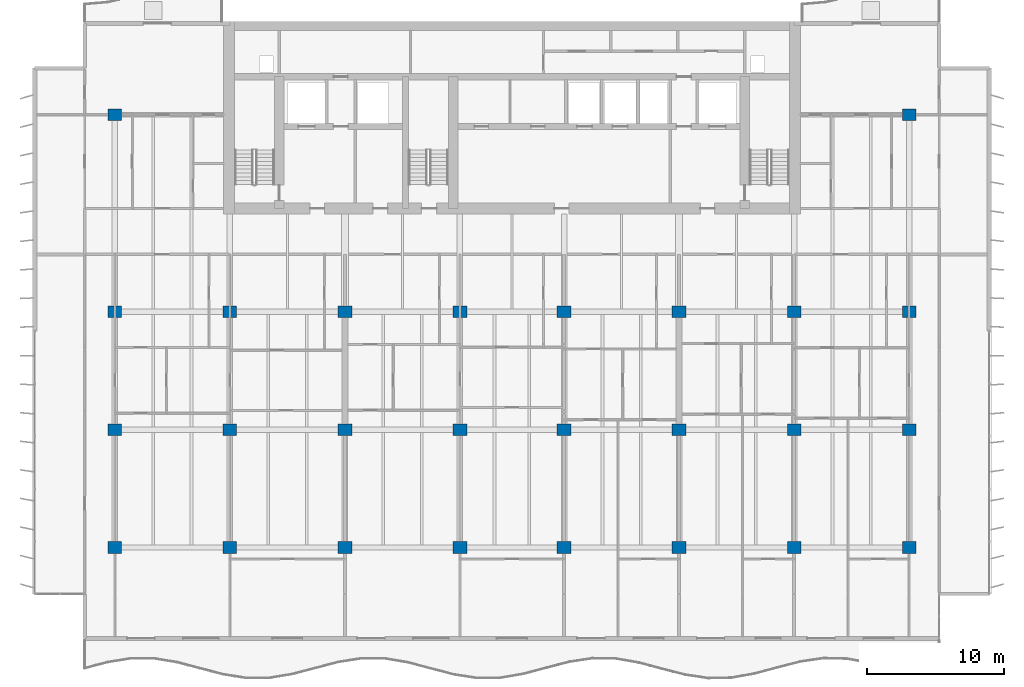
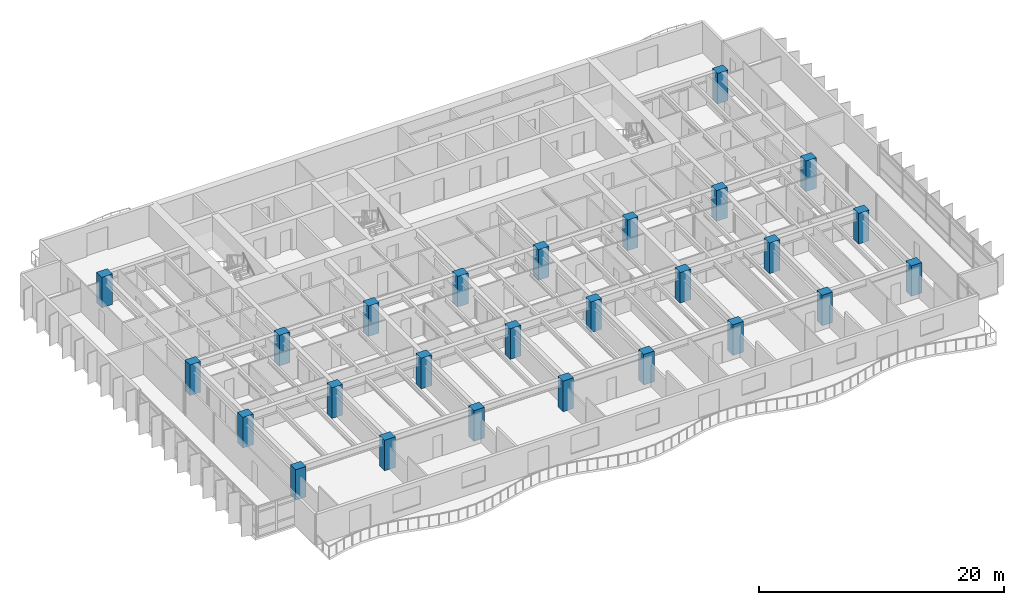
# One storey, part 1 of 20: 26 columns.
"""IFC4 building model written with IfcOpenShell, lengths in metres."""

from ifc_helpers import new_model, si_unit, direction, frame, origin, origin_2d, place, context, subcontext, project, spatial, rectangle, extrude, material, material_profile, profile_set, type_object, element, save


model = new_model("IFC4")

# Units and contexts
model_context = context("Model", 3, precision=1e-05, world=origin(), true_north=direction((0.0, 1.0)))
body_context = subcontext(model_context, "Body", "Model", "MODEL_VIEW")
ifc_project = project(units=[si_unit("LENGTHUNIT", "METRE"), si_unit("AREAUNIT", "SQUARE_METRE"), si_unit("VOLUMEUNIT", "CUBIC_METRE"), si_unit("PLANEANGLEUNIT", "RADIAN"), si_unit("MASSUNIT", "GRAM", prefix="KILO")], contexts=[model_context])

# Site, building, storey
site_placement = place(None, origin())
site = spatial("IfcSite", under=ifc_project, at=site_placement, CompositionType="ELEMENT")
building_placement = place(site_placement, origin())
building = spatial("IfcBuilding", under=site, at=building_placement, Name="Caelmar Bay Residences", CompositionType="ELEMENT")
storey_placement = place(building_placement, frame((0.0, 0.0, 119.10009765625)))
storey = spatial("IfcBuildingStorey", under=building, at=storey_placement, Name="L32", CompositionType="ELEMENT", Elevation=119.10009765625)

# Columns
ifc_material = material(Name="Concrete f'c 70 MPa (10,000 psi)", Category="concrete")
ifc_material_profile = material_profile(ifc_material, rectangle(XDim=1.0, YDim=0.85009765625, at=origin_2d()), Name="RC-COL-1000X850")
ifc_profile_set = profile_set([ifc_material_profile], Name="Concrete f'c 70 MPa (10,000 psi)")
column_type = type_object("IfcColumnType", Name="COL-RC-1000X850", PredefinedType="COLUMN", material=ifc_profile_set)
for number, where, z_axis, x_axis, name in (
    (1, (9.89990234375, 12.199951171875, 0.0), (0.0, 0.0, 1.0), (1.0, 0.0, 0.0), "L32 Column (9.90,12.20)"),
    (2, (18.300048828125, 12.199951171875, 0.0), (0.0, 0.0, 1.0), (1.0, 0.0, 0.0), "L32 Column (18.30,12.20)"),
    (3, (26.699951171875, 12.199951171875, 0.0), (0.0, 0.0, 1.0), (1.0, 0.0, 0.0), "L32 Column (26.70,12.20)"),
    (4, (35.10009765625, 12.199951171875, 0.0), (0.0, 0.0, 1.0), (1.0, 0.0, 0.0), "L32 Column (35.10,12.20)"),
    (5, (42.699951171875, 12.199951171875, 0.0), (0.0, 0.0, 1.0), (1.0, 0.0, 0.0), "L32 Column (42.70,12.20)"),
    (6, (51.10009765625, 12.199951171875, 0.0), (0.0, 0.0, 1.0), (1.0, 0.0, 0.0), "L32 Column (51.10,12.20)"),
    (7, (59.5, 12.199951171875, 0.0), (0.0, 0.0, 1.0), (1.0, 0.0, 0.0), "L32 Column (59.50,12.20)"),
    (8, (67.89990234375, 12.199951171875, 0.0), (0.0, 0.0, 1.0), (1.0, 0.0, 0.0), "L32 Column (67.90,12.20)"),
    (9, (9.89990234375, 20.800048828125, 0.0), (0.0, 0.0, 1.0), (1.0, 0.0, 0.0), "L32 Column (9.90,20.80)"),
    (10, (18.300048828125, 20.800048828125, 0.0), (0.0, 0.0, 1.0), (1.0, 0.0, 0.0), "L32 Column (18.30,20.80)"),
    (11, (26.699951171875, 20.800048828125, 0.0), (0.0, 0.0, 1.0), (1.0, 0.0, 0.0), "L32 Column (26.70,20.80)"),
    (12, (35.10009765625, 20.800048828125, 0.0), (0.0, 0.0, 1.0), (1.0, 0.0, 0.0), "L32 Column (35.10,20.80)"),
    (13, (42.699951171875, 20.800048828125, 0.0), (0.0, 0.0, 1.0), (1.0, 0.0, 0.0), "L32 Column (42.70,20.80)"),
    (14, (51.10009765625, 20.800048828125, 0.0), (0.0, 0.0, 1.0), (1.0, 0.0, 0.0), "L32 Column (51.10,20.80)"),
    (15, (59.5, 20.800048828125, 0.0), (0.0, 0.0, 1.0), (1.0, 0.0, 0.0), "L32 Column (59.50,20.80)"),
    (16, (67.89990234375, 20.800048828125, 0.0), (0.0, 0.0, 1.0), (1.0, 0.0, 0.0), "L32 Column (67.90,20.80)"),
    (17, (9.89990234375, 29.39990234375, 0.0), (0.0, 0.0, 1.0), (1.0, 0.0, 0.0), "L32 Column (9.90,29.40)"),
    (18, (18.300048828125, 29.39990234375, 0.0), (0.0, 0.0, 1.0), (1.0, 0.0, 0.0), "L32 Column (18.30,29.40)"),
    (19, (26.699951171875, 29.39990234375, 0.0), (0.0, 0.0, 1.0), (1.0, 0.0, 0.0), "L32 Column (26.70,29.40)"),
    (20, (35.10009765625, 29.39990234375, 0.0), (0.0, 0.0, 1.0), (1.0, 0.0, 0.0), "L32 Column (35.10,29.40)"),
    (21, (42.699951171875, 29.39990234375, 0.0), (0.0, 0.0, 1.0), (1.0, 0.0, 0.0), "L32 Column (42.70,29.40)"),
    (22, (51.10009765625, 29.39990234375, 0.0), (0.0, 0.0, 1.0), (1.0, 0.0, 0.0), "L32 Column (51.10,29.40)"),
    (23, (59.5, 29.39990234375, 0.0), (0.0, 0.0, 1.0), (1.0, 0.0, 0.0), "L32 Column (59.50,29.40)"),
    (24, (67.89990234375, 29.39990234375, 0.0), (0.0, 0.0, 1.0), (1.0, 0.0, 0.0), "L32 Column (67.90,29.40)"),
    (25, (9.89990234375, 43.800048828125, 0.0), (0.0, 0.0, 1.0), (1.0, 0.0, 0.0), "L32 Column (9.90,43.80)"),
    (26, (67.89990234375, 43.800048828125, 0.0), (0.0, 0.0, 1.0), (1.0, 0.0, 0.0), "L32 Column (67.90,43.80)"),
):
    element("IfcColumn", number, at=place(storey_placement, frame(where, z_axis=z_axis, x_axis=x_axis)), inside=storey, type_object=column_type, Name=name, PredefinedType="COLUMN", context=body_context, shape_type="SweptSolid", body=[
        extrude(rectangle(XDim=1.0, YDim=0.85009765625, at=origin_2d()), origin(), (0.0, 0.0, 1.0), 3.0498046875),
    ])

save(model, "model.ifc")
